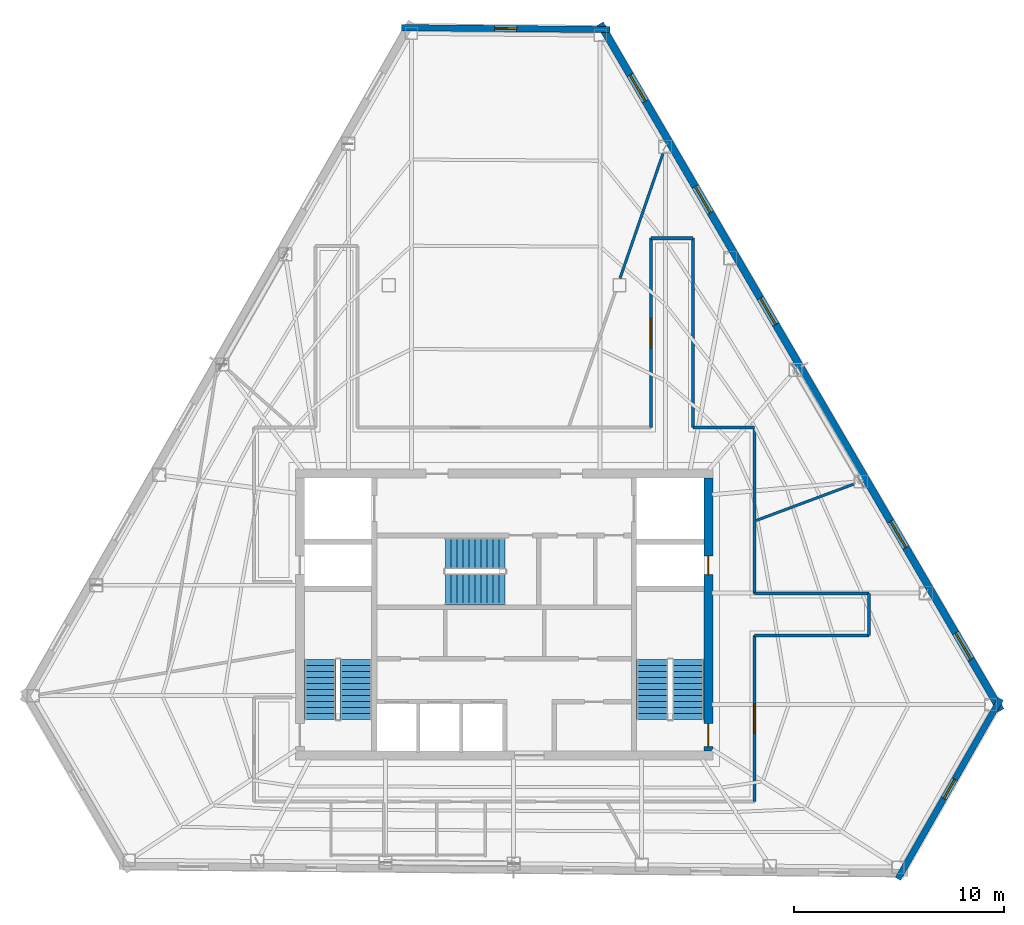
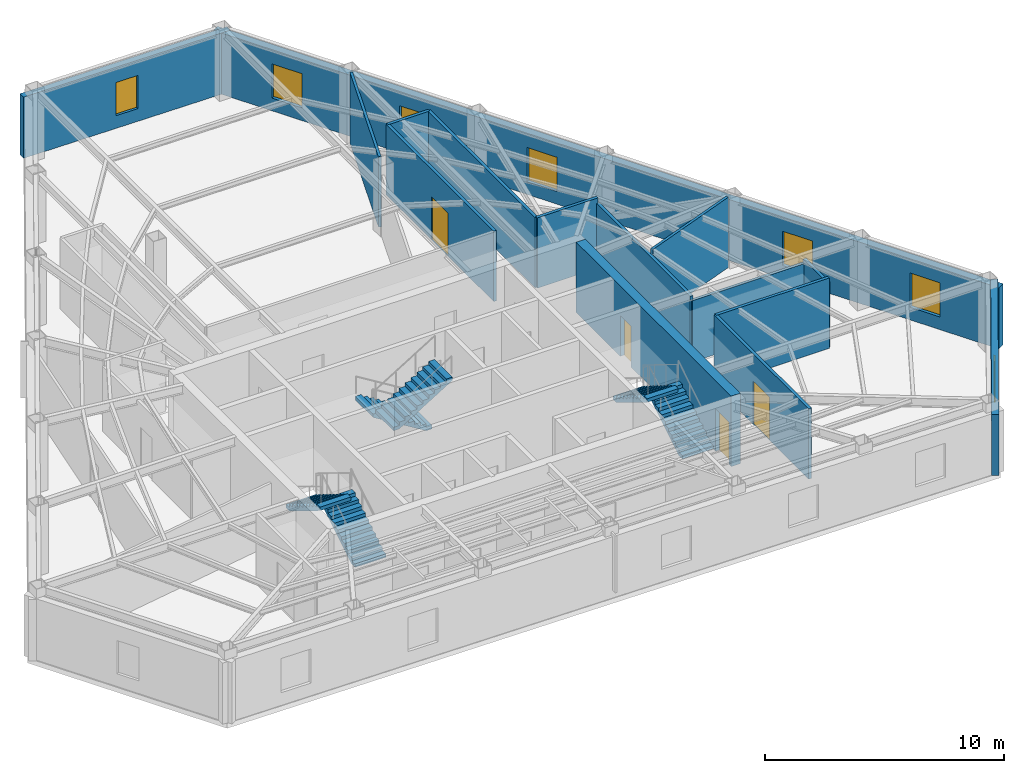
# One storey, part 9 of 11: 15 walls, 7 windows, 6 stair flights, 4 doors, 11 openings, 3 elements without a shape of their own.
"""IFC4 building model written with IfcOpenShell, lengths in metres."""

import ifcopenshell
import ifcopenshell.guid

model = None  # the IFC model being written
_history = None  # IfcOwnerHistory: only IFC2X3 demands one
_inside = {}  # id of a spatial element -> (the spatial element, [elements in it])
_under = {}  # id of a project, library or spatial element -> (it, [spatial elements below it])
_declared = {}  # id of a project -> (the project, [libraries it declares])
_typed = {}  # id of a type object -> (the type object, [elements of that type])
_made_of = {}  # id of a material, layer set ... -> (it, [elements and type objects made of it])


def new_model(schema):
    """Start an empty IFC model of exactly this schema.

    Asked for "IFC4X3", IfcOpenShell would pick the latest addendum, in which some entities
    have other attributes; the version numbers below select the first issue.
    IFC2X3 requires an IfcOwnerHistory on every rooted entity: one is made here for all.
    """
    global model, _history
    if schema == "IFC4X3":
        model = ifcopenshell.file(schema_version=(4, 3, 0, 0))
    else:
        model = ifcopenshell.file(schema=schema)
    _inside.clear()
    _under.clear()
    _declared.clear()
    _typed.clear()
    _made_of.clear()
    _history = None
    if model.schema == "IFC2X3":
        org = make("IfcOrganization", Name="unknown")
        user = make(
            "IfcPersonAndOrganization",
            ThePerson=make("IfcPerson", FamilyName="unknown"),
            TheOrganization=org,
        )
        app = make(
            "IfcApplication",
            ApplicationDeveloper=org,
            Version="unknown",
            ApplicationFullName="unknown",
            ApplicationIdentifier="unknown",
        )
        _history = make(
            "IfcOwnerHistory",
            OwningUser=user,
            OwningApplication=app,
            ChangeAction="ADDED",
            CreationDate=0,
        )
    return model


def make(cls, **values):
    """One entity of the class cls with the attributes given. An attribute that is None is left unset."""
    return model.create_entity(
        cls, **{name: value for name, value in values.items() if value is not None}
    )


def rooted(cls, **values):
    """An entity with a GlobalId (a new one), such as an element, a storey or a relation."""
    return make(cls, GlobalId=ifcopenshell.guid.new(), OwnerHistory=_history, **values)


def si_unit(unit_type, name, prefix=None):
    """IfcSIUnit, for example si_unit("LENGTHUNIT", "METRE", prefix="MILLI")."""
    return make("IfcSIUnit", UnitType=unit_type, Prefix=prefix, Name=name)


def assignment(units):
    """IfcUnitAssignment: the units of a project."""
    return None if units is None else make("IfcUnitAssignment", Units=units)


def point(xyz):
    """IfcCartesianPoint."""
    return None if xyz is None else make("IfcCartesianPoint", Coordinates=xyz)


def direction(xyz):
    """IfcDirection."""
    return None if xyz is None else make("IfcDirection", DirectionRatios=xyz)


def frame(location, z_axis=None, x_axis=None):
    """IfcAxis2Placement3D, a coordinate frame: its origin and axes. An axis left out is left unset."""
    return make(
        "IfcAxis2Placement3D",
        Location=point(location),
        Axis=direction(z_axis),
        RefDirection=direction(x_axis),
    )


def frame_2d(location, x_axis=None):
    """IfcAxis2Placement2D, a coordinate frame in the plane: its origin and x axis."""
    return make(
        "IfcAxis2Placement2D", Location=point(location), RefDirection=direction(x_axis)
    )


def origin():
    """The frame at (0, 0, 0) with its axes left unset."""
    return frame((0.0, 0.0, 0.0))


def place(relative_to, where):
    """IfcLocalPlacement: puts the frame where relative to a parent placement (None: the world)."""
    return make(
        "IfcLocalPlacement", PlacementRelTo=relative_to, RelativePlacement=where
    )


def context(
    kind, dimensions, precision=None, world=None, true_north=None, identifier=None
):
    """IfcGeometricRepresentationContext, for example the 3D "Model" context."""
    return make(
        "IfcGeometricRepresentationContext",
        ContextIdentifier=identifier,
        ContextType=kind,
        CoordinateSpaceDimension=dimensions,
        Precision=precision,
        WorldCoordinateSystem=world,
        TrueNorth=true_north,
    )


def subcontext(parent, identifier, kind, view, scale=None):
    """IfcGeometricRepresentationSubContext, for example "Body" below "Model"."""
    return make(
        "IfcGeometricRepresentationSubContext",
        ContextIdentifier=identifier,
        ContextType=kind,
        ParentContext=parent,
        TargetScale=scale,
        TargetView=view,
    )


def project(units=None, contexts=None):
    """IfcProject with its units and contexts."""
    return rooted(
        "IfcProject",
        Name="project",
        RepresentationContexts=contexts,
        UnitsInContext=assignment(units),
    )


def spatial(cls, under=None, at=None, **own):
    """A site, building, storey or space (cls), placed at a placement, below another one or the project."""
    s = rooted(cls, ObjectPlacement=at, **own)
    if under is not None:
        _under.setdefault(under.id(), (under, []))[1].append(s)
    return s


def polyline(points):
    """IfcPolyline through the points."""
    return make("IfcPolyline", Points=[point(p) for p in points])


def profile(cls, at=None, kind="AREA", **sizes):
    """A parametric profile (cls). Its sizes go by their IFC names, for example OverallWidth=200.0."""
    return make(cls, ProfileType=kind, Position=at, **sizes)


def rectangle(**sizes):
    """IfcRectangleProfileDef."""
    return profile("IfcRectangleProfileDef", **sizes)


def outline(outer, holes=None, kind="AREA"):
    """IfcArbitraryClosedProfileDef: a profile drawn as a closed curve; with holes, ...WithVoids."""
    if holes is None:
        return make("IfcArbitraryClosedProfileDef", ProfileType=kind, OuterCurve=outer)
    return make(
        "IfcArbitraryProfileDefWithVoids",
        ProfileType=kind,
        OuterCurve=outer,
        InnerCurves=holes,
    )


def extrude(swept, where, along, depth):
    """IfcExtrudedAreaSolid: the profile swept, set in the frame where, extruded along a direction by depth."""
    return make(
        "IfcExtrudedAreaSolid",
        SweptArea=swept,
        Position=where,
        ExtrudedDirection=direction(along),
        Depth=depth,
    )


def shape(context_of_items, identifier, shape_type, items):
    """IfcShapeRepresentation: the items that make up one representation, for example the "Body"."""
    return make(
        "IfcShapeRepresentation",
        ContextOfItems=context_of_items,
        RepresentationIdentifier=identifier,
        RepresentationType=shape_type,
        Items=items,
    )


def material(Name=None, Category=None):
    """IfcMaterial."""
    return make("IfcMaterial", Name=Name, Category=Category)


def layer(
    of_material, thickness, ventilated=None, Name=None, Category=None, Priority=None
):
    """IfcMaterialLayer: one layer of a wall or slab, of a material (None: an air gap)."""
    return make(
        "IfcMaterialLayer",
        Material=of_material,
        LayerThickness=thickness,
        IsVentilated=ventilated,
        Name=Name,
        Category=Category,
        Priority=Priority,
    )


def layer_set(layers, Name=None):
    """IfcMaterialLayerSet."""
    return make("IfcMaterialLayerSet", MaterialLayers=layers, LayerSetName=Name)


def made_of(thing, what):
    """Note that an element or type object is made of a material, layer set ...; save() writes the relation."""
    if what is not None:
        _made_of.setdefault(what.id(), (what, []))[1].append(thing)
    return thing


def type_object(cls, material=None, **own):
    """A type object (cls), such as IfcWallType, which elements share."""
    return made_of(rooted(cls, **own), material)


def element(
    cls,
    number,
    at=None,
    inside=None,
    cuts=None,
    type_object=None,
    material=None,
    context=None,
    identifier="Body",
    shape_type=None,
    held_by="IfcProductDefinitionShape",
    body=None,
    shapes=None,
    **own,
):
    """One element of the class cls, such as IfcWall. Its Tag is "e" and its number.

    at: its placement. inside: the storey or other place that contains it. cuts: it is an
    opening in that element (IfcRelVoidsElement). A single representation is given by context,
    identifier, shape_type and body (its items); several are given by shapes. held_by: the class
    of the entity that holds the representations. save() writes the other relations.
    """
    e = rooted(cls, Tag="e%d" % number, ObjectPlacement=at, **own)
    if body is not None:
        shapes = [shape(context, identifier, shape_type, body)]
    if shapes is not None:
        e.Representation = make(held_by, Representations=shapes)
    if inside is not None:
        _inside.setdefault(inside.id(), (inside, []))[1].append(e)
    if cuts is not None:
        rooted(
            "IfcRelVoidsElement", RelatingBuildingElement=cuts, RelatedOpeningElement=e
        )
    if type_object is not None:
        _typed.setdefault(type_object.id(), (type_object, []))[1].append(e)
    return made_of(e, material)


def fill(opening, filler):
    """IfcRelFillsElement: the door or window that sits in an opening."""
    return rooted(
        "IfcRelFillsElement",
        RelatingOpeningElement=opening,
        RelatedBuildingElement=filler,
    )


def aggregate(whole, parts):
    """IfcRelAggregates: a whole, such as a stair, and the parts it consists of."""
    return rooted("IfcRelAggregates", RelatingObject=whole, RelatedObjects=parts)


def save(model, path):
    """Write the relations noted so far, then the file.

    IfcRelAggregates (storeys below a building ...), IfcRelContainedInSpatialStructure (elements
    in a storey), IfcRelDefinesByType, IfcRelAssociatesMaterial and IfcRelDeclares: one each for
    every whole, place, type object, material and project.
    """
    for whole, parts in _under.values():
        aggregate(whole, parts)
    for where, things in _inside.values():
        rooted(
            "IfcRelContainedInSpatialStructure",
            RelatedElements=things,
            RelatingStructure=where,
        )
    for kind, things in _typed.values():
        rooted("IfcRelDefinesByType", RelatedObjects=things, RelatingType=kind)
    for what, things in _made_of.values():
        rooted("IfcRelAssociatesMaterial", RelatedObjects=things, RelatingMaterial=what)
    for by, libraries in _declared.values():
        rooted("IfcRelDeclares", RelatingContext=by, RelatedDefinitions=libraries)
    model.write(path)


model = new_model("IFC4")

# Units and contexts
model_context = context("Model", 3, precision=1e-05, world=origin(), true_north=direction((0.0, 1.0)))
body_context = subcontext(model_context, "Body", "Model", "MODEL_VIEW")
ifc_project = project(units=[si_unit("LENGTHUNIT", "METRE"), si_unit("AREAUNIT", "SQUARE_METRE"), si_unit("VOLUMEUNIT", "CUBIC_METRE"), si_unit("PLANEANGLEUNIT", "RADIAN"), si_unit("MASSUNIT", "GRAM", prefix="KILO")], contexts=[model_context])

# Site, building, storey
site_placement = place(None, origin())
site = spatial("IfcSite", under=ifc_project, at=site_placement, CompositionType="ELEMENT")
building_placement = place(site_placement, origin())
building = spatial("IfcBuilding", under=site, at=building_placement, Name="Kavelnor Concourse Tower", CompositionType="ELEMENT")
storey_placement = place(building_placement, frame((0.0, 0.0, 184.25)))
storey = spatial("IfcBuildingStorey", under=building, at=storey_placement, Name="L46", CompositionType="ELEMENT", Elevation=184.25)

# Wall, openings, doors
ifc_material_1 = material(Name="Concrete C50/60", Category="concrete")
ifc_layer_1 = layer(ifc_material_1, 0.43994140625, Name="Concrete C50/60")
ifc_layer_set_1 = layer_set([ifc_layer_1], Name="Concrete C50/60")
wall_type_1 = type_object("IfcWallType", Name="WL-CORE-Z3-440", PredefinedType="SOLIDWALL", material=ifc_layer_set_1)
wall_1_placement = place(storey_placement, frame((47.739990234375, 9.60009765625, 0.0), z_axis=(0.0, 0.0, 1.0), x_axis=(0.0, 1.0, 0.0)))
wall_1 = element("IfcWall", 1, at=wall_1_placement, inside=storey, type_object=wall_type_1, Name="L46 Central Core East Shear Wall", PredefinedType="SOLIDWALL", context=body_context, shape_type="SweptSolid", body=[
    extrude(rectangle(XDim=13.0, YDim=0.43994140625, at=frame_2d((6.5, 0.0))), origin(), (0.0, 0.0, 1.0), 3.60009765625),
])
opening_1_placement = place(wall_1_placement, frame((0.199951171875, 0.0, 0.0)))
opening_1 = element("IfcOpeningElement", 2, at=opening_1_placement, cuts=wall_1, Name="Opening FD-110", PredefinedType="OPENING", context=body_context, shape_type="SweptSolid", body=[
    extrude(rectangle(XDim=1.10009765625, YDim=2.14990234375, at=frame_2d((0.550048828125, 1.074951171875))), frame((0.0, 0.22998046875, 0.0), z_axis=(0.0, -1.0, 0.0), x_axis=(1.0, 0.0, 0.0)), (0.0, 0.0, 1.0), 0.4599609375),
])
opening_2_placement = place(wall_1_placement, frame((8.39990234375, 0.0, 0.0)))
opening_2 = element("IfcOpeningElement", 3, at=opening_2_placement, cuts=wall_1, Name="Opening FD-090", PredefinedType="OPENING", context=body_context, shape_type="SweptSolid", body=[
    extrude(rectangle(XDim=0.89990234375, YDim=2.10009765625, at=frame_2d((0.449951171875, 1.050048828125))), frame((0.0, 0.22998046875, 0.0), z_axis=(0.0, -1.0, 0.0), x_axis=(1.0, 0.0, 0.0)), (0.0, 0.0, 1.0), 0.4599609375),
])
ifc_material_2 = material(Name="Steel Grade 350", Category="steel")
door_type_1 = type_object("IfcDoorType", Name="DR-RISER-FIRE-900", OperationType="NOTDEFINED", PredefinedType="DOOR", material=ifc_material_2)
door_1_placement = place(opening_2_placement, origin())
door_1 = element("IfcDoor", 4, at=door_1_placement, inside=storey, type_object=door_type_1, Name="L46 East Riser Access Door", OperationType="SINGLE_SWING_LEFT", OverallHeight=2.10009765625, OverallWidth=0.89990234375, PredefinedType="DOOR", context=body_context, shape_type="SweptSolid", body=[
    extrude(rectangle(XDim=0.89990234375, YDim=2.10009765625, at=frame_2d((0.449951171875, 1.050048828125))), frame((0.0, 0.02490234375, 0.0), z_axis=(0.0, -1.0, 0.0), x_axis=(1.0, 0.0, 0.0)), (0.0, 0.0, 1.0), 0.050048828125),
])
fill(opening_2, door_1)
door_type_2 = type_object("IfcDoorType", Name="DR-STAIR-FIRE-1100", OperationType="NOTDEFINED", PredefinedType="DOOR", material=ifc_material_2)
door_2_placement = place(opening_1_placement, origin())
door_2 = element("IfcDoor", 5, at=door_2_placement, inside=storey, type_object=door_type_2, Name="L46 Stair ST2 Fire Door", OperationType="SINGLE_SWING_RIGHT", OverallHeight=2.14990234375, OverallWidth=1.10009765625, PredefinedType="DOOR", context=body_context, shape_type="SweptSolid", body=[
    extrude(rectangle(XDim=1.10009765625, YDim=2.14990234375, at=frame_2d((0.550048828125, 1.074951171875))), frame((0.0, 0.02490234375, 0.0), z_axis=(0.0, -1.0, 0.0), x_axis=(1.0, 0.0, 0.0)), (0.0, 0.0, 1.0), 0.050048828125),
])
fill(opening_1, door_2)

# Wall, opening, window
ifc_material_3 = material(Name="Buff ironspot clay face brick masonry", Category="masonry")
ifc_layer_2 = layer(ifc_material_3, 0.300048828125, Name="Buff ironspot clay face brick masonry")
ifc_layer_set_2 = layer_set([ifc_layer_2], Name="Buff ironspot clay face brick masonry")
wall_type_2 = type_object("IfcWallType", Name="WL-EXT-BUFF-BRICK-FOLD-300", PredefinedType="STANDARD", material=ifc_layer_set_2)
wall_2_placement = place(storey_placement, frame((33.09326171875, 44.08447265625, 0.0), z_axis=(0.0, 0.0, 1.0), x_axis=(0.999957994936, -0.009165607679, 0.0)))
wall_2 = element("IfcWall", 6, at=wall_2_placement, inside=storey, type_object=wall_type_2, Name="L46 Exterior Brick Facade Wall E0", PredefinedType="STANDARD", context=body_context, shape_type="SweptSolid", body=[
    extrude(rectangle(XDim=9.962158203125, YDim=0.300048828125, at=frame_2d((4.98095703125, 0.0))), origin(), (0.0, 0.0, 1.0), 3.132080078125),
])
opening_3_placement = place(wall_2_placement, frame((4.4560546875, 0.0, 0.64990234375)))
opening_3 = element("IfcOpeningElement", 7, at=opening_3_placement, cuts=wall_2, Name="Opening W-06", PredefinedType="OPENING", context=body_context, shape_type="SweptSolid", body=[
    extrude(rectangle(XDim=1.050048828125, YDim=1.699951171875, at=frame_2d((0.52490234375, 0.85009765625))), frame((0.0, 0.16015625, 0.0), z_axis=(0.0, -1.0, 0.0), x_axis=(1.0, 0.0, 0.0)), (0.0, 0.0, 1.0), 0.320068359375),
])
ifc_material_4 = material(Name="Double low-E argon insulated glazing", Category="glass")
window_type_1 = type_object("IfcWindowType", Name="WIN-FOLD-1050", PartitioningType="SINGLE_PANEL", PredefinedType="WINDOW", material=ifc_material_4)
window_1_placement = place(opening_3_placement, origin())
window_1 = element("IfcWindow", 8, at=window_1_placement, inside=storey, type_object=window_type_1, Name="L46 Chamfer-Fold Facet Window C0", OverallHeight=1.699951171875, OverallWidth=1.050048828125, PartitioningType="SINGLE_PANEL", PredefinedType="WINDOW", context=body_context, shape_type="SweptSolid", body=[
    extrude(rectangle(XDim=1.050048828125, YDim=1.699951171875, at=frame_2d((0.52490234375, 0.85009765625))), frame((0.0, 0.030029296875, 0.0), z_axis=(0.0, -1.0, 0.0), x_axis=(1.0, 0.0, 0.0)), (0.0, 0.0, 1.0), 0.06005859375),
])
fill(opening_3, window_1)

wall_3_placement = place(storey_placement, frame((61.6787109375, 12.079345703125, 0.0), z_axis=(0.0, 0.0, 1.0), x_axis=(-0.495989996522, -0.8683282348, 0.0)))
wall_3 = element("IfcWall", 9, at=wall_3_placement, inside=storey, type_object=wall_type_2, Name="L46 Exterior Brick Facade Wall E4", PredefinedType="STANDARD", context=body_context, shape_type="SweptSolid", body=[
    extrude(rectangle(XDim=9.885986328125, YDim=0.300048828125, at=frame_2d((4.94287109375, 0.0))), origin(), (0.0, 0.0, 1.0), 3.132080078125),
])
opening_4_placement = place(wall_3_placement, frame((4.41796875, 0.0, 0.64990234375)))
opening_4 = element("IfcOpeningElement", 10, at=opening_4_placement, cuts=wall_3, Name="Opening W-06", PredefinedType="OPENING", context=body_context, shape_type="SweptSolid", body=[
    extrude(rectangle(XDim=1.050048828125, YDim=1.699951171875, at=frame_2d((0.52490234375, 0.85009765625))), frame((0.0, 0.16015625, 0.0), z_axis=(0.0, -1.0, 0.0), x_axis=(1.0, 0.0, 0.0)), (0.0, 0.0, 1.0), 0.320068359375),
])
window_2_placement = place(opening_4_placement, origin())
window_2 = element("IfcWindow", 11, at=window_2_placement, inside=storey, type_object=window_type_1, Name="L46 Chamfer-Fold Facet Window C2", OverallHeight=1.699951171875, OverallWidth=1.050048828125, PartitioningType="SINGLE_PANEL", PredefinedType="WINDOW", context=body_context, shape_type="SweptSolid", body=[
    extrude(rectangle(XDim=1.050048828125, YDim=1.699951171875, at=frame_2d((0.52490234375, 0.85009765625))), frame((0.0, 0.030029296875, 0.0), z_axis=(0.0, -1.0, 0.0), x_axis=(1.0, 0.0, 0.0)), (0.0, 0.0, 1.0), 0.06005859375),
])
fill(opening_4, window_2)

# Wall, openings, windows
ifc_material_5 = material(Name="Red-ochre clay face brick masonry", Category="masonry")
ifc_layer_3 = layer(ifc_material_5, 0.35009765625, Name="Red-ochre clay face brick masonry")
ifc_layer_set_3 = layer_set([ifc_layer_3], Name="Red-ochre clay face brick masonry")
wall_type_3 = type_object("IfcWallType", Name="WL-EXT-RED-BRICK-PIER-350", PredefinedType="STANDARD", material=ifc_layer_set_3)
wall_4_placement = place(storey_placement, frame((42.57470703125, 44.271728515625, 0.0), z_axis=(0.0, 0.0, 1.0), x_axis=(0.503934681705, -0.863741764982, 0.0)))
wall_4 = element("IfcWall", 12, at=wall_4_placement, inside=storey, type_object=wall_type_3, Name="L46 Exterior Brick Facade Wall E5", PredefinedType="STANDARD", context=body_context, shape_type="SweptSolid", body=[
    extrude(rectangle(XDim=37.9150390625, YDim=0.35009765625, at=frame_2d((18.95751953125, 0.0))), origin(), (0.0, 0.0, 1.0), 3.132080078125),
])
opening_5_placement = place(wall_4_placement, frame((33.632568359375, 0.0, 0.64990234375)))
opening_5 = element("IfcOpeningElement", 13, at=opening_5_placement, cuts=wall_4, Name="Opening W-03", PredefinedType="OPENING", context=body_context, shape_type="SweptSolid", body=[
    extrude(rectangle(XDim=1.449951171875, YDim=1.75, at=frame_2d((0.72509765625, 0.875))), frame((0.0, 0.18505859375, 0.0), z_axis=(0.0, -1.0, 0.0), x_axis=(1.0, 0.0, 0.0)), (0.0, 0.0, 1.0), 0.3701171875),
])
opening_6_placement = place(wall_4_placement, frame((27.4716796875, 0.0, 0.64990234375)))
opening_6 = element("IfcOpeningElement", 14, at=opening_6_placement, cuts=wall_4, Name="Opening W-03", PredefinedType="OPENING", context=body_context, shape_type="SweptSolid", body=[
    extrude(rectangle(XDim=1.449951171875, YDim=1.75, at=frame_2d((0.72509765625, 0.875))), frame((0.0, 0.18505859375, 0.0), z_axis=(0.0, -1.0, 0.0), x_axis=(1.0, 0.0, 0.0)), (0.0, 0.0, 1.0), 0.3701171875),
])
opening_7_placement = place(wall_4_placement, frame((15.14990234375, 0.0, 0.64990234375)))
opening_7 = element("IfcOpeningElement", 15, at=opening_7_placement, cuts=wall_4, Name="Opening W-03", PredefinedType="OPENING", context=body_context, shape_type="SweptSolid", body=[
    extrude(rectangle(XDim=1.449951171875, YDim=1.75, at=frame_2d((0.72509765625, 0.875))), frame((0.0, 0.18505859375, 0.0), z_axis=(0.0, -1.0, 0.0), x_axis=(1.0, 0.0, 0.0)), (0.0, 0.0, 1.0), 0.3701171875),
])
opening_8_placement = place(wall_4_placement, frame((8.989013671875, 0.0, 0.64990234375)))
opening_8 = element("IfcOpeningElement", 16, at=opening_8_placement, cuts=wall_4, Name="Opening W-03", PredefinedType="OPENING", context=body_context, shape_type="SweptSolid", body=[
    extrude(rectangle(XDim=1.449951171875, YDim=1.75, at=frame_2d((0.72509765625, 0.875))), frame((0.0, 0.18505859375, 0.0), z_axis=(0.0, -1.0, 0.0), x_axis=(1.0, 0.0, 0.0)), (0.0, 0.0, 1.0), 0.3701171875),
])
opening_9_placement = place(wall_4_placement, frame((2.828125, 0.0, 0.64990234375)))
opening_9 = element("IfcOpeningElement", 17, at=opening_9_placement, cuts=wall_4, Name="Opening W-03", PredefinedType="OPENING", context=body_context, shape_type="SweptSolid", body=[
    extrude(rectangle(XDim=1.449951171875, YDim=1.75, at=frame_2d((0.72509765625, 0.875))), frame((0.0, 0.18505859375, 0.0), z_axis=(0.0, -1.0, 0.0), x_axis=(1.0, 0.0, 0.0)), (0.0, 0.0, 1.0), 0.3701171875),
])
window_type_2 = type_object("IfcWindowType", Name="WIN-PIER-Z3-1500", PartitioningType="SINGLE_PANEL", PredefinedType="WINDOW", material=ifc_material_4)
window_3_placement = place(opening_5_placement, origin())
window_3 = element("IfcWindow", 18, at=window_3_placement, inside=storey, type_object=window_type_2, Name="L46 Deep-Set Brick Pier Window F2-B0", OverallHeight=1.75, OverallWidth=1.449951171875, PartitioningType="SINGLE_PANEL", PredefinedType="WINDOW", context=body_context, shape_type="SweptSolid", body=[
    extrude(rectangle(XDim=1.449951171875, YDim=1.75, at=frame_2d((0.72509765625, 0.875))), frame((0.0, 0.030029296875, 0.0), z_axis=(0.0, -1.0, 0.0), x_axis=(1.0, 0.0, 0.0)), (0.0, 0.0, 1.0), 0.06005859375),
])
fill(opening_5, window_3)
window_4_placement = place(opening_6_placement, origin())
window_4 = element("IfcWindow", 19, at=window_4_placement, inside=storey, type_object=window_type_2, Name="L46 Deep-Set Brick Pier Window F2-B1", OverallHeight=1.75, OverallWidth=1.449951171875, PartitioningType="SINGLE_PANEL", PredefinedType="WINDOW", context=body_context, shape_type="SweptSolid", body=[
    extrude(rectangle(XDim=1.449951171875, YDim=1.75, at=frame_2d((0.72509765625, 0.875))), frame((0.0, 0.030029296875, 0.0), z_axis=(0.0, -1.0, 0.0), x_axis=(1.0, 0.0, 0.0)), (0.0, 0.0, 1.0), 0.06005859375),
])
fill(opening_6, window_4)
window_5_placement = place(opening_7_placement, origin())
window_5 = element("IfcWindow", 20, at=window_5_placement, inside=storey, type_object=window_type_2, Name="L46 Deep-Set Brick Pier Window F2-B3", OverallHeight=1.75, OverallWidth=1.449951171875, PartitioningType="SINGLE_PANEL", PredefinedType="WINDOW", context=body_context, shape_type="SweptSolid", body=[
    extrude(rectangle(XDim=1.449951171875, YDim=1.75, at=frame_2d((0.72509765625, 0.875))), frame((0.0, 0.030029296875, 0.0), z_axis=(0.0, -1.0, 0.0), x_axis=(1.0, 0.0, 0.0)), (0.0, 0.0, 1.0), 0.06005859375),
])
fill(opening_7, window_5)
window_6_placement = place(opening_8_placement, origin())
window_6 = element("IfcWindow", 21, at=window_6_placement, inside=storey, type_object=window_type_2, Name="L46 Deep-Set Brick Pier Window F2-B4", OverallHeight=1.75, OverallWidth=1.449951171875, PartitioningType="SINGLE_PANEL", PredefinedType="WINDOW", context=body_context, shape_type="SweptSolid", body=[
    extrude(rectangle(XDim=1.449951171875, YDim=1.75, at=frame_2d((0.72509765625, 0.875))), frame((0.0, 0.030029296875, 0.0), z_axis=(0.0, -1.0, 0.0), x_axis=(1.0, 0.0, 0.0)), (0.0, 0.0, 1.0), 0.06005859375),
])
fill(opening_8, window_6)
window_7_placement = place(opening_9_placement, origin())
window_7 = element("IfcWindow", 22, at=window_7_placement, inside=storey, type_object=window_type_2, Name="L46 Deep-Set Brick Pier Window F2-B5", OverallHeight=1.75, OverallWidth=1.449951171875, PartitioningType="SINGLE_PANEL", PredefinedType="WINDOW", context=body_context, shape_type="SweptSolid", body=[
    extrude(rectangle(XDim=1.449951171875, YDim=1.75, at=frame_2d((0.72509765625, 0.875))), frame((0.0, 0.030029296875, 0.0), z_axis=(0.0, -1.0, 0.0), x_axis=(1.0, 0.0, 0.0)), (0.0, 0.0, 1.0), 0.06005859375),
])
fill(opening_9, window_7)

# Wall, opening, door
ifc_material_6 = material(Name="Gypsum plasterboard on light-gauge steel studs", Category="steel")
ifc_layer_4 = layer(ifc_material_6, 0.14501953125, Name="Gypsum plasterboard on light-gauge steel studs")
ifc_layer_set_4 = layer_set([ifc_layer_4], Name="Gypsum plasterboard on light-gauge steel studs")
wall_type_4 = type_object("IfcWallType", Name="WL-INT-CORR-145", PredefinedType="PARTITIONING", material=ifc_layer_set_4)
wall_5_placement = place(storey_placement, frame((45.0, 25.02001953125, 0.0), z_axis=(0.0, 0.0, 1.0), x_axis=(0.0, 1.0, 0.0)))
wall_5 = element("IfcWall", 23, at=wall_5_placement, inside=storey, type_object=wall_type_4, Name="L46 Corridor Wall WL-L46-CR-08", PredefinedType="PARTITIONING", context=body_context, shape_type="SweptSolid", body=[
    extrude(rectangle(XDim=9.0224609375, YDim=0.14501953125, at=frame_2d((4.51123046875, 0.0))), origin(), (0.0, 0.0, 1.0), 3.60009765625),
])
opening_10_placement = place(wall_5_placement, frame((3.811279296875, 0.0, 0.0)))
opening_10 = element("IfcOpeningElement", 24, at=opening_10_placement, cuts=wall_5, Name="Opening SD-140", PredefinedType="OPENING", context=body_context, shape_type="SweptSolid", body=[
    extrude(rectangle(XDim=1.39990234375, YDim=2.199951171875, at=frame_2d((0.699951171875, 1.10009765625))), frame((0.0, 0.08251953125, 0.0), z_axis=(0.0, -1.0, 0.0), x_axis=(1.0, 0.0, 0.0)), (0.0, 0.0, 1.0), 0.1650390625),
])
ifc_material_7 = material(Name="Solid-core hardwood timber", Category="wood")
door_type_3 = type_object("IfcDoorType", Name="DR-SUITE-ENTRY-1400", OperationType="NOTDEFINED", PredefinedType="DOOR", material=ifc_material_7)
door_3_placement = place(opening_10_placement, origin())
door_3 = element("IfcDoor", 25, at=door_3_placement, inside=storey, type_object=door_type_3, Name="L46 Technical Reference Library 01 Door", OperationType="SINGLE_SWING_RIGHT", OverallHeight=2.199951171875, OverallWidth=1.39990234375, PredefinedType="DOOR", context=body_context, shape_type="SweptSolid", body=[
    extrude(rectangle(XDim=1.39990234375, YDim=2.199951171875, at=frame_2d((0.699951171875, 1.10009765625))), frame((0.0, 0.02490234375, 0.0), z_axis=(0.0, -1.0, 0.0), x_axis=(1.0, 0.0, 0.0)), (0.0, 0.0, 1.0), 0.050048828125),
])
fill(opening_10, door_3)

# Walls
wall_6_placement = place(storey_placement, frame((45.0, 34.04248046875, 0.0), z_axis=(0.0, 0.0, 1.0), x_axis=(1.0, 0.0, 0.0)))
element("IfcWall", 26, at=wall_6_placement, inside=storey, type_object=wall_type_4, Name="L46 Corridor Wall WL-L46-CR-09", PredefinedType="PARTITIONING", context=body_context, shape_type="SweptSolid", body=[
    extrude(rectangle(XDim=2.0, YDim=0.14501953125, at=frame_2d((1.0, 0.0))), origin(), (0.0, 0.0, 1.0), 3.60009765625),
])
wall_7_placement = place(storey_placement, frame((47.0, 34.04248046875, 0.0), z_axis=(0.0, 0.0, 1.0), x_axis=(0.0, -1.0, 0.0)))
element("IfcWall", 27, at=wall_7_placement, inside=storey, type_object=wall_type_4, Name="L46 Corridor Wall WL-L46-CR-10", PredefinedType="PARTITIONING", context=body_context, shape_type="SweptSolid", body=[
    extrude(rectangle(XDim=9.0224609375, YDim=0.14501953125, at=frame_2d((4.51123046875, 0.0))), origin(), (0.0, 0.0, 1.0), 3.60009765625),
])
wall_8_placement = place(storey_placement, frame((47.0, 25.02001953125, 0.0), z_axis=(0.0, 0.0, 1.0), x_axis=(1.0, 0.0, 0.0)))
element("IfcWall", 28, at=wall_8_placement, inside=storey, type_object=wall_type_4, Name="L46 Corridor Wall WL-L46-CR-11", PredefinedType="PARTITIONING", context=body_context, shape_type="SweptSolid", body=[
    extrude(rectangle(XDim=2.93994140625, YDim=0.14501953125, at=frame_2d((1.469970703125, 0.0))), origin(), (0.0, 0.0, 1.0), 3.60009765625),
])
wall_9_placement = place(storey_placement, frame((49.93994140625, 25.02001953125, 0.0), z_axis=(0.0, 0.0, 1.0), x_axis=(0.0, -1.0, 0.0)))
element("IfcWall", 29, at=wall_9_placement, inside=storey, type_object=wall_type_4, Name="L46 Corridor Wall WL-L46-CR-12", PredefinedType="PARTITIONING", context=body_context, shape_type="SweptSolid", body=[
    extrude(rectangle(XDim=7.919921875, YDim=0.14501953125, at=frame_2d((3.9599609375, 0.0))), origin(), (0.0, 0.0, 1.0), 3.339111328125),
])
wall_10_placement = place(storey_placement, frame((49.93994140625, 17.10009765625, 0.0), z_axis=(0.0, 0.0, 1.0), x_axis=(1.0, 0.0, 0.0)))
element("IfcWall", 30, at=wall_10_placement, inside=storey, type_object=wall_type_4, Name="L46 Corridor Wall WL-L46-CR-13", PredefinedType="PARTITIONING", context=body_context, shape_type="SweptSolid", body=[
    extrude(rectangle(XDim=5.4599609375, YDim=0.14501953125, at=frame_2d((2.72998046875, 0.0))), origin(), (0.0, 0.0, 1.0), 3.14111328125),
])
wall_11_placement = place(storey_placement, frame((55.39990234375, 17.10009765625, 0.0), z_axis=(0.0, 0.0, 1.0), x_axis=(0.0, -1.0, 0.0)))
element("IfcWall", 31, at=wall_11_placement, inside=storey, type_object=wall_type_4, Name="L46 Corridor Wall WL-L46-CR-14", PredefinedType="PARTITIONING", context=body_context, shape_type="SweptSolid", body=[
    extrude(rectangle(XDim=2.0, YDim=0.14501953125, at=frame_2d((1.0, 0.0))), origin(), (0.0, 0.0, 1.0), 3.339111328125),
])
wall_12_placement = place(storey_placement, frame((55.39990234375, 15.10009765625, 0.0), z_axis=(0.0, 0.0, 1.0), x_axis=(-1.0, 0.0, 0.0)))
element("IfcWall", 32, at=wall_12_placement, inside=storey, type_object=wall_type_4, Name="L46 Corridor Wall WL-L46-CR-15", PredefinedType="PARTITIONING", context=body_context, shape_type="SweptSolid", body=[
    extrude(rectangle(XDim=5.4599609375, YDim=0.14501953125, at=frame_2d((2.72998046875, 0.0))), origin(), (0.0, 0.0, 1.0), 3.60009765625),
])

# Wall, opening, door
wall_13_placement = place(storey_placement, frame((49.93994140625, 15.10009765625, 0.0), z_axis=(0.0, 0.0, 1.0), x_axis=(0.0, -1.0, 0.0)))
wall_13 = element("IfcWall", 33, at=wall_13_placement, inside=storey, type_object=wall_type_4, Name="L46 Corridor Wall WL-L46-CR-16", PredefinedType="PARTITIONING", context=body_context, shape_type="SweptSolid", body=[
    extrude(rectangle(XDim=7.920166015625, YDim=0.14501953125, at=frame_2d((3.9599609375, 0.0))), origin(), (0.0, 0.0, 1.0), 3.60009765625),
])
opening_11_placement = place(wall_13_placement, frame((3.260009765625, 0.0, 0.0)))
opening_11 = element("IfcOpeningElement", 34, at=opening_11_placement, cuts=wall_13, Name="Opening SD-140", PredefinedType="OPENING", context=body_context, shape_type="SweptSolid", body=[
    extrude(rectangle(XDim=1.39990234375, YDim=2.199951171875, at=frame_2d((0.699951171875, 1.10009765625))), frame((0.0, 0.08251953125, 0.0), z_axis=(0.0, -1.0, 0.0), x_axis=(1.0, 0.0, 0.0)), (0.0, 0.0, 1.0), 0.1650390625),
])
door_4_placement = place(opening_11_placement, origin())
door_4 = element("IfcDoor", 35, at=door_4_placement, inside=storey, type_object=door_type_3, Name="L46 Staff Breakout Pantry 07 Door", OperationType="SINGLE_SWING_RIGHT", OverallHeight=2.199951171875, OverallWidth=1.39990234375, PredefinedType="DOOR", context=body_context, shape_type="SweptSolid", body=[
    extrude(rectangle(XDim=1.39990234375, YDim=2.199951171875, at=frame_2d((0.699951171875, 1.10009765625))), frame((0.0, 0.02490234375, 0.0), z_axis=(0.0, -1.0, 0.0), x_axis=(1.0, 0.0, 0.0)), (0.0, 0.0, 1.0), 0.050048828125),
])
fill(opening_11, door_4)

# Walls
ifc_layer_5 = layer(ifc_material_6, 0.125, Name="Gypsum plasterboard on light-gauge steel studs")
ifc_layer_set_5 = layer_set([ifc_layer_5], Name="Gypsum plasterboard on light-gauge steel studs")
wall_type_5 = type_object("IfcWallType", Name="WL-INT-SUITE-125", PredefinedType="PARTITIONING", material=ifc_layer_set_5)
wall_14_placement = place(storey_placement, frame((50.0205078125, 20.584716796875, 0.0), z_axis=(0.0, 0.0, 1.0), x_axis=(0.936930245376, 0.349516402047, 0.0)))
element("IfcWall", 36, at=wall_14_placement, inside=storey, type_object=wall_type_5, Name="L46 Radial Suite Partition 01", PredefinedType="PARTITIONING", context=body_context, shape_type="SweptSolid", body=[
    extrude(rectangle(XDim=4.962890625, YDim=0.125, at=frame_2d((2.4814453125, 0.0))), origin(), (0.0, 0.0, 1.0), 3.60009765625),
])
wall_15_placement = place(storey_placement, frame((43.521484375, 32.1279296875, 0.0), z_axis=(0.0, 0.0, 1.0), x_axis=(0.325720467461, 0.945466116303, 0.0)))
element("IfcWall", 37, at=wall_15_placement, inside=storey, type_object=wall_type_5, Name="L46 Radial Suite Partition 02", PredefinedType="PARTITIONING", context=body_context, shape_type="SweptSolid", body=[
    extrude(rectangle(XDim=6.293212890625, YDim=0.125, at=frame_2d((3.146484375, 0.0))), origin(), (0.0, 0.0, 1.0), 3.60009765625),
])

# Stair, stair flights
ifc_material_8 = material(Name="Concrete C40/50", Category="concrete")
stair_type = type_object("IfcStairType", Name="STR-CORE-1500", PredefinedType="HALF_TURN_STAIR", material=ifc_material_8)
stair_1_placement = place(storey_placement, origin())
stair_1 = element("IfcStair", 38, at=stair_1_placement, inside=storey, type_object=stair_type, Name="L46 ST1", PredefinedType="HALF_TURN_STAIR")
stair_flight_type = type_object("IfcStairFlightType", Name="STR-FLIGHT-1500", PredefinedType="STRAIGHT", material=ifc_material_8)
stair_flight_1_placement = place(storey_placement, frame((30.929931640625, 11.10009765625, 0.0), z_axis=(0.0, 0.0, 1.0), x_axis=(0.0, 1.0, 0.0)))
stair_flight_1 = element("IfcStairFlight", 39, at=stair_flight_1_placement, type_object=stair_flight_type, Name="ST1 flight 1", NumberOfRisers=11, NumberOfTreads=10, PredefinedType="STRAIGHT", RiserHeight=0.175, TreadLength=0.285, context=body_context, shape_type="SweptSolid", body=[
    extrude(outline(polyline([(0.0, 0.0), (0.0, 0.175048828125), (0.284912109375, 0.175048828125), (0.284912109375, 0.35009765625), (0.570068359375, 0.35009765625), (0.570068359375, 0.52490234375), (0.85498046875, 0.52490234375), (0.85498046875, 0.699951171875), (1.139892578125, 0.699951171875), (1.139892578125, 0.875), (1.425048828125, 0.875), (1.425048828125, 1.050048828125), (1.7099609375, 1.050048828125), (1.7099609375, 1.22509765625), (1.9951171875, 1.22509765625), (1.9951171875, 1.39990234375), (2.280029296875, 1.39990234375), (2.280029296875, 1.574951171875), (2.56494140625, 1.574951171875), (2.56494140625, 1.75), (2.85009765625, 1.75), (2.85009765625, 1.925048828125), (2.85009765625, 1.573974609375), (0.286376953125, 0.0), (0.0, 0.0)])), frame((0.0, 0.75, 0.0), z_axis=(0.0, -1.0, 0.0), x_axis=(1.0, 0.0, 0.0)), (0.0, 0.0, 1.0), 1.5),
])
stair_flight_2_placement = place(storey_placement, frame((29.22998046875, 13.949951171875, 1.925048828125), z_axis=(0.0, 0.0, 1.0), x_axis=(0.0, -1.0, 0.0)))
stair_flight_2 = element("IfcStairFlight", 40, at=stair_flight_2_placement, type_object=stair_flight_type, Name="ST1 flight 2", NumberOfRisers=11, NumberOfTreads=10, PredefinedType="STRAIGHT", RiserHeight=0.175, TreadLength=0.285, context=body_context, shape_type="SweptSolid", body=[
    extrude(outline(polyline([(0.0, 0.0), (0.0, 0.175048828125), (0.284912109375, 0.175048828125), (0.284912109375, 0.35009765625), (0.570068359375, 0.35009765625), (0.570068359375, 0.52490234375), (0.85498046875, 0.52490234375), (0.85498046875, 0.699951171875), (1.139892578125, 0.699951171875), (1.139892578125, 0.875), (1.425048828125, 0.875), (1.425048828125, 1.050048828125), (1.7099609375, 1.050048828125), (1.7099609375, 1.22509765625), (1.9951171875, 1.22509765625), (1.9951171875, 1.39990234375), (2.280029296875, 1.39990234375), (2.280029296875, 1.574951171875), (2.56494140625, 1.574951171875), (2.56494140625, 1.75), (2.85009765625, 1.75), (2.85009765625, 1.925048828125), (2.85009765625, 1.573974609375), (0.286376953125, 0.0), (0.0, 0.0)])), frame((0.0, 0.75, 0.0), z_axis=(0.0, -1.0, 0.0), x_axis=(1.0, 0.0, 0.0)), (0.0, 0.0, 1.0), 1.5),
])
aggregate(stair_1, [stair_flight_1, stair_flight_2])

stair_2_placement = place(storey_placement, origin())
stair_2 = element("IfcStair", 41, at=stair_2_placement, inside=storey, type_object=stair_type, Name="L46 ST2", PredefinedType="HALF_TURN_STAIR")
stair_flight_3_placement = place(storey_placement, frame((46.77001953125, 11.10009765625, 0.0), z_axis=(0.0, 0.0, 1.0), x_axis=(0.0, 1.0, 0.0)))
stair_flight_3 = element("IfcStairFlight", 42, at=stair_flight_3_placement, type_object=stair_flight_type, Name="ST2 flight 1", NumberOfRisers=11, NumberOfTreads=10, PredefinedType="STRAIGHT", RiserHeight=0.175, TreadLength=0.285, context=body_context, shape_type="SweptSolid", body=[
    extrude(outline(polyline([(0.0, 0.0), (0.0, 0.175048828125), (0.284912109375, 0.175048828125), (0.284912109375, 0.35009765625), (0.570068359375, 0.35009765625), (0.570068359375, 0.52490234375), (0.85498046875, 0.52490234375), (0.85498046875, 0.699951171875), (1.139892578125, 0.699951171875), (1.139892578125, 0.875), (1.425048828125, 0.875), (1.425048828125, 1.050048828125), (1.7099609375, 1.050048828125), (1.7099609375, 1.22509765625), (1.9951171875, 1.22509765625), (1.9951171875, 1.39990234375), (2.280029296875, 1.39990234375), (2.280029296875, 1.574951171875), (2.56494140625, 1.574951171875), (2.56494140625, 1.75), (2.85009765625, 1.75), (2.85009765625, 1.925048828125), (2.85009765625, 1.573974609375), (0.286376953125, 0.0), (0.0, 0.0)])), frame((0.0, 0.75, 0.0), z_axis=(0.0, -1.0, 0.0), x_axis=(1.0, 0.0, 0.0)), (0.0, 0.0, 1.0), 1.5),
])
stair_flight_4_placement = place(storey_placement, frame((45.070068359375, 13.949951171875, 1.925048828125), z_axis=(0.0, 0.0, 1.0), x_axis=(0.0, -1.0, 0.0)))
stair_flight_4 = element("IfcStairFlight", 43, at=stair_flight_4_placement, type_object=stair_flight_type, Name="ST2 flight 2", NumberOfRisers=11, NumberOfTreads=10, PredefinedType="STRAIGHT", RiserHeight=0.175, TreadLength=0.285, context=body_context, shape_type="SweptSolid", body=[
    extrude(outline(polyline([(0.0, 0.0), (0.0, 0.175048828125), (0.284912109375, 0.175048828125), (0.284912109375, 0.35009765625), (0.570068359375, 0.35009765625), (0.570068359375, 0.52490234375), (0.85498046875, 0.52490234375), (0.85498046875, 0.699951171875), (1.139892578125, 0.699951171875), (1.139892578125, 0.875), (1.425048828125, 0.875), (1.425048828125, 1.050048828125), (1.7099609375, 1.050048828125), (1.7099609375, 1.22509765625), (1.9951171875, 1.22509765625), (1.9951171875, 1.39990234375), (2.280029296875, 1.39990234375), (2.280029296875, 1.574951171875), (2.56494140625, 1.574951171875), (2.56494140625, 1.75), (2.85009765625, 1.75), (2.85009765625, 1.925048828125), (2.85009765625, 1.573974609375), (0.286376953125, 0.0), (0.0, 0.0)])), frame((0.0, 0.75, 0.0), z_axis=(0.0, -1.0, 0.0), x_axis=(1.0, 0.0, 0.0)), (0.0, 0.0, 1.0), 1.5),
])
aggregate(stair_2, [stair_flight_3, stair_flight_4])

stair_3_placement = place(storey_placement, origin())
stair_3 = element("IfcStair", 44, at=stair_3_placement, inside=storey, type_object=stair_type, Name="L46 ST3", PredefinedType="HALF_TURN_STAIR")
stair_flight_5_placement = place(storey_placement, frame((38.0400390625, 19.010009765625, 0.0), z_axis=(0.0, 0.0, 1.0), x_axis=(-1.0, 0.0, 0.0)))
stair_flight_5 = element("IfcStairFlight", 45, at=stair_flight_5_placement, type_object=stair_flight_type, Name="ST3 flight 1", NumberOfRisers=11, NumberOfTreads=10, PredefinedType="STRAIGHT", RiserHeight=0.175, TreadLength=0.285, context=body_context, shape_type="SweptSolid", body=[
    extrude(outline(polyline([(0.0, 0.0), (0.0, 0.175048828125), (0.284912109375, 0.175048828125), (0.284912109375, 0.35009765625), (0.570068359375, 0.35009765625), (0.570068359375, 0.52490234375), (0.85498046875, 0.52490234375), (0.85498046875, 0.699951171875), (1.139892578125, 0.699951171875), (1.139892578125, 0.875), (1.425048828125, 0.875), (1.425048828125, 1.050048828125), (1.7099609375, 1.050048828125), (1.7099609375, 1.22509765625), (1.9951171875, 1.22509765625), (1.9951171875, 1.39990234375), (2.280029296875, 1.39990234375), (2.280029296875, 1.574951171875), (2.56494140625, 1.574951171875), (2.56494140625, 1.75), (2.85009765625, 1.75), (2.85009765625, 1.925048828125), (2.85009765625, 1.573974609375), (0.286376953125, 0.0), (0.0, 0.0)])), frame((0.0, 0.75, 0.0), z_axis=(0.0, -1.0, 0.0), x_axis=(1.0, 0.0, 0.0)), (0.0, 0.0, 1.0), 1.5),
])
stair_flight_6_placement = place(storey_placement, frame((35.18994140625, 17.31005859375, 1.925048828125), z_axis=(0.0, 0.0, 1.0), x_axis=(1.0, 0.0, 0.0)))
stair_flight_6 = element("IfcStairFlight", 46, at=stair_flight_6_placement, type_object=stair_flight_type, Name="ST3 flight 2", NumberOfRisers=11, NumberOfTreads=10, PredefinedType="STRAIGHT", RiserHeight=0.175, TreadLength=0.285, context=body_context, shape_type="SweptSolid", body=[
    extrude(outline(polyline([(0.0, 0.0), (0.0, 0.175048828125), (0.284912109375, 0.175048828125), (0.284912109375, 0.35009765625), (0.570068359375, 0.35009765625), (0.570068359375, 0.52490234375), (0.85498046875, 0.52490234375), (0.85498046875, 0.699951171875), (1.139892578125, 0.699951171875), (1.139892578125, 0.875), (1.425048828125, 0.875), (1.425048828125, 1.050048828125), (1.7099609375, 1.050048828125), (1.7099609375, 1.22509765625), (1.9951171875, 1.22509765625), (1.9951171875, 1.39990234375), (2.280029296875, 1.39990234375), (2.280029296875, 1.574951171875), (2.56494140625, 1.574951171875), (2.56494140625, 1.75), (2.85009765625, 1.75), (2.85009765625, 1.925048828125), (2.85009765625, 1.573974609375), (0.286376953125, 0.0), (0.0, 0.0)])), frame((0.0, 0.75, 0.0), z_axis=(0.0, -1.0, 0.0), x_axis=(1.0, 0.0, 0.0)), (0.0, 0.0, 1.0), 1.5),
])
aggregate(stair_3, [stair_flight_5, stair_flight_6])

save(model, "model.ifc")
